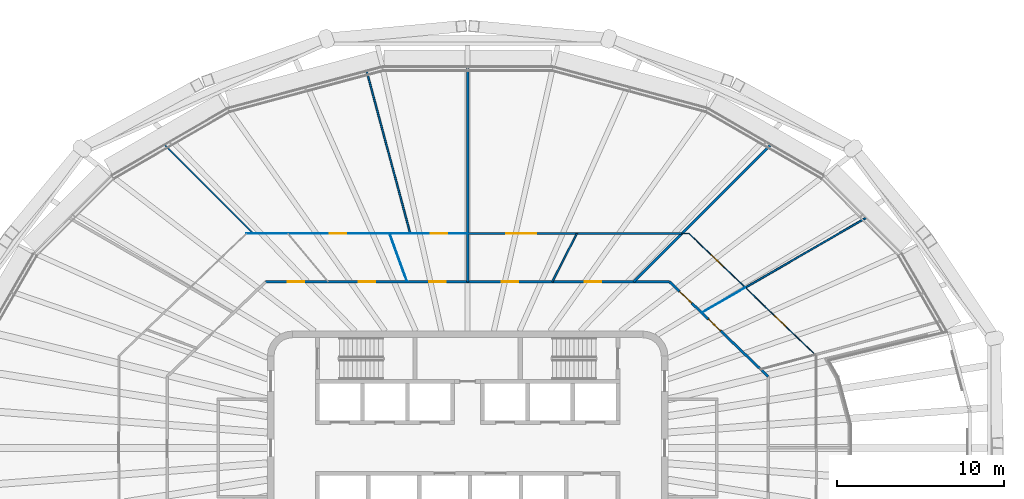
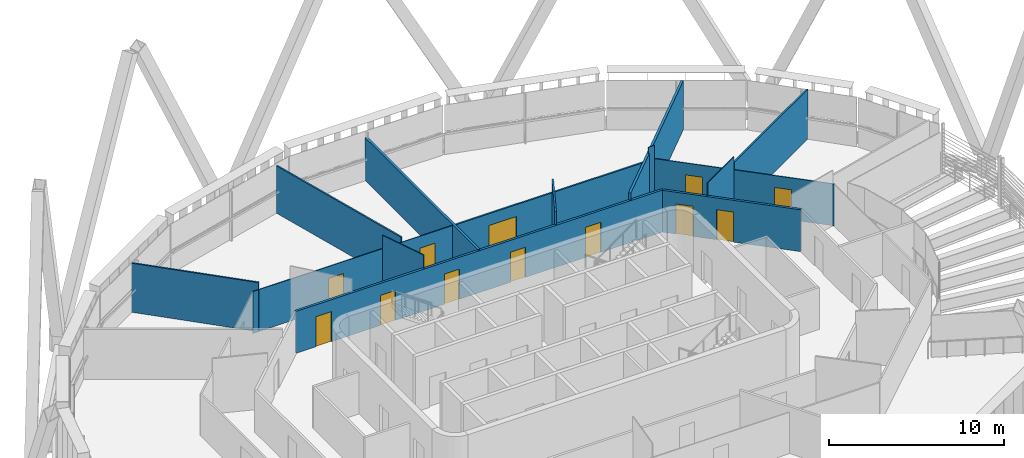
# One storey, part 13 of 20: 14 walls, 12 doors, 12 openings.
"""IFC4 building model written with IfcOpenShell, lengths in metres."""

from ifc_helpers import new_model, si_unit, direction, frame, frame_2d, origin, place, context, subcontext, project, spatial, rectangle, extrude, material, layer, layer_set, type_object, element, fill, save


model = new_model("IFC4")

# Units and contexts
model_context = context("Model", 3, precision=1e-05, world=origin(), true_north=direction((0.0, 1.0)))
body_context = subcontext(model_context, "Body", "Model", "MODEL_VIEW")
ifc_project = project(units=[si_unit("LENGTHUNIT", "METRE"), si_unit("AREAUNIT", "SQUARE_METRE"), si_unit("VOLUMEUNIT", "CUBIC_METRE"), si_unit("PLANEANGLEUNIT", "RADIAN"), si_unit("MASSUNIT", "GRAM", prefix="KILO")], contexts=[model_context])

# Site, building, storey
site_placement = place(None, origin())
site = spatial("IfcSite", under=ifc_project, at=site_placement, CompositionType="ELEMENT")
building_placement = place(site_placement, origin())
building = spatial("IfcBuilding", under=site, at=building_placement, Name="Sahrelin Media Tower", CompositionType="ELEMENT")
storey_placement = place(building_placement, frame((0.0, 0.0, 267.0)))
storey = spatial("IfcBuildingStorey", under=building, at=storey_placement, Name="L58", CompositionType="ELEMENT", Elevation=267.0)

# Wall, openings, doors
ifc_material_1 = material(Name="Fire-rated gypsum board partition")
ifc_layer_1 = layer(ifc_material_1, 0.14990234375)
ifc_layer_set_1 = layer_set([ifc_layer_1], Name="Fire-rated partition 150")
wall_type_1 = type_object("IfcWallType", Name="Fire-rated partition 150", PredefinedType="PARTITIONING", material=ifc_layer_set_1)
wall_1_placement = place(storey_placement, frame((12.094970703125, 9.948974609375, 0.0), z_axis=(0.0, 0.0, 1.0), x_axis=(0.721290181137, -0.692633001376, 0.0)))
wall_1 = element("IfcWall", 1, at=wall_1_placement, inside=storey, type_object=wall_type_1, Name="Wall", PredefinedType="PARTITIONING", context=body_context, shape_type="SweptSolid", body=[
    extrude(rectangle(XDim=8.18701171875, YDim=0.14990234375, at=frame_2d((4.093505859375, 0.0))), origin(), (0.0, 0.0, 1.0), 2.918212890625),
])
opening_1_placement = place(wall_1_placement, frame((3.232177734375, 0.0, 0.0)))
opening_1 = element("IfcOpeningElement", 2, at=opening_1_placement, cuts=wall_1, Name="Opening L58-D35", PredefinedType="OPENING", context=body_context, shape_type="SweptSolid", body=[
    extrude(rectangle(XDim=1.0, YDim=2.10009765625, at=frame_2d((0.5, 1.050048828125))), frame((0.0, 0.074951171875, 0.0), z_axis=(0.0, -1.0, 0.0), x_axis=(1.0, 0.0, 0.0)), (0.0, 0.0, 1.0), 0.14990234375),
])
opening_2_placement = place(wall_1_placement, frame((0.838623046875, 0.0, 0.0)))
opening_2 = element("IfcOpeningElement", 3, at=opening_2_placement, cuts=wall_1, Name="Opening L58-D36", PredefinedType="OPENING", context=body_context, shape_type="SweptSolid", body=[
    extrude(rectangle(XDim=1.0, YDim=2.10009765625, at=frame_2d((0.5, 1.050048828125))), frame((0.0, 0.074951171875, 0.0), z_axis=(0.0, -1.0, 0.0), x_axis=(1.0, 0.0, 0.0)), (0.0, 0.0, 1.0), 0.14990234375),
])
ifc_material_2 = material(Name="Steel fire door leaf", Category="steel")
door_type_1 = type_object("IfcDoorType", Name="Fire door 1000 x 2100 EI 60", OperationType="NOTDEFINED", PredefinedType="DOOR", material=ifc_material_2)
door_1_placement = place(opening_1_placement, origin())
door_1 = element("IfcDoor", 4, at=door_1_placement, inside=storey, type_object=door_type_1, Name="Fire door", OperationType="SINGLE_SWING_LEFT", OverallHeight=2.10009765625, OverallWidth=1.0, PredefinedType="DOOR", context=body_context, shape_type="SweptSolid", body=[
    extrude(rectangle(XDim=1.0, YDim=2.10009765625, at=frame_2d((0.5, 1.050048828125))), frame((0.0, 0.02490234375, 0.0), z_axis=(0.0, -1.0, 0.0), x_axis=(1.0, 0.0, 0.0)), (0.0, 0.0, 1.0), 0.050048828125),
])
fill(opening_1, door_1)
door_2_placement = place(opening_2_placement, origin())
door_2 = element("IfcDoor", 5, at=door_2_placement, inside=storey, type_object=door_type_1, Name="Fire door", OperationType="SINGLE_SWING_LEFT", OverallHeight=2.10009765625, OverallWidth=1.0, PredefinedType="DOOR", context=body_context, shape_type="SweptSolid", body=[
    extrude(rectangle(XDim=1.0, YDim=2.10009765625, at=frame_2d((0.5, 1.050048828125))), frame((0.0, 0.02490234375, 0.0), z_axis=(0.0, -1.0, 0.0), x_axis=(1.0, 0.0, 0.0)), (0.0, 0.0, 1.0), 0.050048828125),
])
fill(opening_2, door_2)

wall_2_placement = place(storey_placement, frame((-12.094970703125, 9.948974609375, 0.0), z_axis=(0.0, 0.0, 1.0), x_axis=(1.0, 0.0, 0.0)))
wall_2 = element("IfcWall", 6, at=wall_2_placement, inside=storey, type_object=wall_type_1, Name="Wall", PredefinedType="PARTITIONING", context=body_context, shape_type="SweptSolid", body=[
    extrude(rectangle(XDim=24.18994140625, YDim=0.14990234375, at=frame_2d((12.094970703125, 0.0))), origin(), (0.0, 0.0, 1.0), 2.927001953125),
])
opening_3_placement = place(wall_2_placement, frame((9.784423828125, 0.0, 0.0)))
opening_3 = element("IfcOpeningElement", 7, at=opening_3_placement, cuts=wall_2, Name="Opening L58-D15", PredefinedType="OPENING", context=body_context, shape_type="SweptSolid", body=[
    extrude(rectangle(XDim=1.0, YDim=2.10009765625, at=frame_2d((0.5, 1.050048828125))), frame((0.0, 0.074951171875, 0.0), z_axis=(0.0, -1.0, 0.0), x_axis=(1.0, 0.0, 0.0)), (0.0, 0.0, 1.0), 0.14990234375),
])
opening_4_placement = place(wall_2_placement, frame((5.56005859375, 0.0, 0.0)))
opening_4 = element("IfcOpeningElement", 8, at=opening_4_placement, cuts=wall_2, Name="Opening L58-D16", PredefinedType="OPENING", context=body_context, shape_type="SweptSolid", body=[
    extrude(rectangle(XDim=1.0, YDim=2.10009765625, at=frame_2d((0.5, 1.050048828125))), frame((0.0, 0.074951171875, 0.0), z_axis=(0.0, -1.0, 0.0), x_axis=(1.0, 0.0, 0.0)), (0.0, 0.0, 1.0), 0.14990234375),
])
opening_5_placement = place(wall_2_placement, frame((1.322021484375, 0.0, 0.0)))
opening_5 = element("IfcOpeningElement", 9, at=opening_5_placement, cuts=wall_2, Name="Opening L58-D17", PredefinedType="OPENING", context=body_context, shape_type="SweptSolid", body=[
    extrude(rectangle(XDim=1.0, YDim=2.10009765625, at=frame_2d((0.5, 1.050048828125))), frame((0.0, 0.074951171875, 0.0), z_axis=(0.0, -1.0, 0.0), x_axis=(1.0, 0.0, 0.0)), (0.0, 0.0, 1.0), 0.14990234375),
])
opening_6_placement = place(wall_2_placement, frame((19.10400390625, 0.0, 0.0)))
opening_6 = element("IfcOpeningElement", 10, at=opening_6_placement, cuts=wall_2, Name="Opening L58-D40", PredefinedType="OPENING", context=body_context, shape_type="SweptSolid", body=[
    extrude(rectangle(XDim=1.0, YDim=2.10009765625, at=frame_2d((0.5, 1.050048828125))), frame((0.0, 0.074951171875, 0.0), z_axis=(0.0, -1.0, 0.0), x_axis=(1.0, 0.0, 0.0)), (0.0, 0.0, 1.0), 0.14990234375),
])
opening_7_placement = place(wall_2_placement, frame((14.12939453125, 0.0, 0.0)))
opening_7 = element("IfcOpeningElement", 11, at=opening_7_placement, cuts=wall_2, Name="Opening L58-D41", PredefinedType="OPENING", context=body_context, shape_type="SweptSolid", body=[
    extrude(rectangle(XDim=1.0, YDim=2.10009765625, at=frame_2d((0.5, 1.050048828125))), frame((0.0, 0.074951171875, 0.0), z_axis=(0.0, -1.0, 0.0), x_axis=(1.0, 0.0, 0.0)), (0.0, 0.0, 1.0), 0.14990234375),
])
door_3_placement = place(opening_3_placement, origin())
door_3 = element("IfcDoor", 12, at=door_3_placement, inside=storey, type_object=door_type_1, Name="Fire door", OperationType="SINGLE_SWING_RIGHT", OverallHeight=2.10009765625, OverallWidth=1.0, PredefinedType="DOOR", context=body_context, shape_type="SweptSolid", body=[
    extrude(rectangle(XDim=1.0, YDim=2.10009765625, at=frame_2d((0.5, 1.050048828125))), frame((0.0, 0.02490234375, 0.0), z_axis=(0.0, -1.0, 0.0), x_axis=(1.0, 0.0, 0.0)), (0.0, 0.0, 1.0), 0.050048828125),
])
fill(opening_3, door_3)
door_4_placement = place(opening_4_placement, origin())
door_4 = element("IfcDoor", 13, at=door_4_placement, inside=storey, type_object=door_type_1, Name="Fire door", OperationType="SINGLE_SWING_LEFT", OverallHeight=2.10009765625, OverallWidth=1.0, PredefinedType="DOOR", context=body_context, shape_type="SweptSolid", body=[
    extrude(rectangle(XDim=1.0, YDim=2.10009765625, at=frame_2d((0.5, 1.050048828125))), frame((0.0, 0.02490234375, 0.0), z_axis=(0.0, -1.0, 0.0), x_axis=(1.0, 0.0, 0.0)), (0.0, 0.0, 1.0), 0.050048828125),
])
fill(opening_4, door_4)
door_5_placement = place(opening_5_placement, origin())
door_5 = element("IfcDoor", 14, at=door_5_placement, inside=storey, type_object=door_type_1, Name="Fire door", OperationType="SINGLE_SWING_LEFT", OverallHeight=2.10009765625, OverallWidth=1.0, PredefinedType="DOOR", context=body_context, shape_type="SweptSolid", body=[
    extrude(rectangle(XDim=1.0, YDim=2.10009765625, at=frame_2d((0.5, 1.050048828125))), frame((0.0, 0.02490234375, 0.0), z_axis=(0.0, -1.0, 0.0), x_axis=(1.0, 0.0, 0.0)), (0.0, 0.0, 1.0), 0.050048828125),
])
fill(opening_5, door_5)
door_6_placement = place(opening_6_placement, origin())
door_6 = element("IfcDoor", 15, at=door_6_placement, inside=storey, type_object=door_type_1, Name="Fire door", OperationType="SINGLE_SWING_LEFT", OverallHeight=2.10009765625, OverallWidth=1.0, PredefinedType="DOOR", context=body_context, shape_type="SweptSolid", body=[
    extrude(rectangle(XDim=1.0, YDim=2.10009765625, at=frame_2d((0.5, 1.050048828125))), frame((0.0, 0.02490234375, 0.0), z_axis=(0.0, -1.0, 0.0), x_axis=(1.0, 0.0, 0.0)), (0.0, 0.0, 1.0), 0.050048828125),
])
fill(opening_6, door_6)
door_7_placement = place(opening_7_placement, origin())
door_7 = element("IfcDoor", 16, at=door_7_placement, inside=storey, type_object=door_type_1, Name="Fire door", OperationType="SINGLE_SWING_LEFT", OverallHeight=2.10009765625, OverallWidth=1.0, PredefinedType="DOOR", context=body_context, shape_type="SweptSolid", body=[
    extrude(rectangle(XDim=1.0, YDim=2.10009765625, at=frame_2d((0.5, 1.050048828125))), frame((0.0, 0.02490234375, 0.0), z_axis=(0.0, -1.0, 0.0), x_axis=(1.0, 0.0, 0.0)), (0.0, 0.0, 1.0), 0.050048828125),
])
fill(opening_7, door_7)

# Walls
wall_3_placement = place(storey_placement, frame((9.948974609375, 9.948974609375, 0.0), z_axis=(0.0, 0.0, 1.0), x_axis=(0.707106781187, 0.707106781187, 0.0)))
element("IfcWall", 17, at=wall_3_placement, inside=storey, type_object=wall_type_1, Name="Wall", PredefinedType="PARTITIONING", context=body_context, shape_type="SweptSolid", body=[
    extrude(rectangle(XDim=11.612060546875, YDim=0.14990234375, at=frame_2d((5.80615234375, 0.0))), origin(), (0.0, 0.0, 1.0), 3.423583984375),
])
wall_4_placement = place(storey_placement, frame((0.0, 9.948974609375, 0.0), z_axis=(0.0, 0.0, 1.0), x_axis=(0.0, 1.0, 0.0)))
element("IfcWall", 18, at=wall_4_placement, inside=storey, type_object=wall_type_1, Name="Wall", PredefinedType="PARTITIONING", context=body_context, shape_type="SweptSolid", body=[
    extrude(rectangle(XDim=12.881103515625, YDim=0.14990234375, at=frame_2d((6.4404296875, 0.0))), origin(), (0.0, 0.0, 1.0), 2.9951171875),
])
ifc_material_3 = material(Name="Clear glass", Category="glass")
ifc_layer_2 = layer(ifc_material_3, 0.050048828125)
ifc_layer_set_2 = layer_set([ifc_layer_2], Name="Glazed partition 50")
wall_type_2 = type_object("IfcWallType", Name="Glazed partition 50", PredefinedType="PARTITIONING", material=ifc_layer_set_2)
wall_5_placement = place(storey_placement, frame((-4.673095703125, 12.839111328125, 0.0), z_axis=(0.0, 0.0, 1.0), x_axis=(0.342042598731, -0.939684447383, 0.0)))
element("IfcWall", 19, at=wall_5_placement, inside=storey, type_object=wall_type_2, Name="Wall", PredefinedType="PARTITIONING", context=body_context, shape_type="SweptSolid", body=[
    extrude(rectangle(XDim=3.07568359375, YDim=0.050048828125, at=frame_2d((1.537841796875, 0.0))), origin(), (0.0, 0.0, 1.0), 3.85009765625),
])

# Wall, openings, doors
wall_6_placement = place(storey_placement, frame((13.258056640625, 12.839111328125, 0.0), z_axis=(0.0, 0.0, 1.0), x_axis=(0.721469843217, -0.692445857327, 0.0)))
wall_6 = element("IfcWall", 20, at=wall_6_placement, inside=storey, type_object=wall_type_2, Name="Wall", PredefinedType="PARTITIONING", context=body_context, shape_type="SweptSolid", body=[
    extrude(rectangle(XDim=10.581787109375, YDim=0.050048828125, at=frame_2d((5.291015625, 0.0))), origin(), (0.0, 0.0, 1.0), 2.927001953125),
])
opening_8_placement = place(wall_6_placement, frame((7.072265625, 0.0, 0.0)))
opening_8 = element("IfcOpeningElement", 21, at=opening_8_placement, cuts=wall_6, Name="Opening L58-D38", PredefinedType="OPENING", context=body_context, shape_type="SweptSolid", body=[
    extrude(rectangle(XDim=1.0, YDim=2.10009765625, at=frame_2d((0.5, 1.050048828125))), frame((0.0, 0.02490234375, 0.0), z_axis=(0.0, -1.0, 0.0), x_axis=(1.0, 0.0, 0.0)), (0.0, 0.0, 1.0), 0.050048828125),
])
opening_9_placement = place(wall_6_placement, frame((1.82958984375, 0.0, 0.0)))
opening_9 = element("IfcOpeningElement", 22, at=opening_9_placement, cuts=wall_6, Name="Opening L58-D39", PredefinedType="OPENING", context=body_context, shape_type="SweptSolid", body=[
    extrude(rectangle(XDim=1.0, YDim=2.10009765625, at=frame_2d((0.5, 1.050048828125))), frame((0.0, 0.02490234375, 0.0), z_axis=(0.0, -1.0, 0.0), x_axis=(1.0, 0.0, 0.0)), (0.0, 0.0, 1.0), 0.050048828125),
])
door_type_2 = type_object("IfcDoorType", Name="Glazed door 1000 x 2100", OperationType="NOTDEFINED", PredefinedType="DOOR", material=ifc_material_3)
door_8_placement = place(opening_8_placement, origin())
door_8 = element("IfcDoor", 23, at=door_8_placement, inside=storey, type_object=door_type_2, Name="Glazed door", OperationType="SINGLE_SWING_RIGHT", OverallHeight=2.10009765625, OverallWidth=1.0, PredefinedType="DOOR", context=body_context, shape_type="SweptSolid", body=[
    extrude(rectangle(XDim=1.0, YDim=2.10009765625, at=frame_2d((0.5, 1.050048828125))), frame((0.0, 0.02490234375, 0.0), z_axis=(0.0, -1.0, 0.0), x_axis=(1.0, 0.0, 0.0)), (0.0, 0.0, 1.0), 0.049560546875),
])
fill(opening_8, door_8)
door_9_placement = place(opening_9_placement, origin())
door_9 = element("IfcDoor", 24, at=door_9_placement, inside=storey, type_object=door_type_2, Name="Glazed door", OperationType="SINGLE_SWING_LEFT", OverallHeight=2.10009765625, OverallWidth=1.0, PredefinedType="DOOR", context=body_context, shape_type="SweptSolid", body=[
    extrude(rectangle(XDim=1.0, YDim=2.10009765625, at=frame_2d((0.5, 1.050048828125))), frame((0.0, 0.02490234375, 0.0), z_axis=(0.0, -1.0, 0.0), x_axis=(1.0, 0.0, 0.0)), (0.0, 0.0, 1.0), 0.049560546875),
])
fill(opening_9, door_9)

wall_7_placement = place(storey_placement, frame((-13.258056640625, 12.839111328125, 0.0), z_axis=(0.0, 0.0, 1.0), x_axis=(1.0, 0.0, 0.0)))
wall_7 = element("IfcWall", 25, at=wall_7_placement, inside=storey, type_object=wall_type_2, Name="Wall", PredefinedType="PARTITIONING", context=body_context, shape_type="SweptSolid", body=[
    extrude(rectangle(XDim=13.258056640625, YDim=0.050048828125, at=frame_2d((6.62890625, 0.0))), origin(), (0.0, 0.0, 1.0), 2.927001953125),
])
opening_10_placement = place(wall_7_placement, frame((11.0380859375, 0.0, 0.0)))
opening_10 = element("IfcOpeningElement", 26, at=opening_10_placement, cuts=wall_7, Name="Opening L58-D18", PredefinedType="OPENING", context=body_context, shape_type="SweptSolid", body=[
    extrude(rectangle(XDim=1.0, YDim=2.10009765625, at=frame_2d((0.5, 1.050048828125))), frame((0.0, 0.02490234375, 0.0), z_axis=(0.0, -1.0, 0.0), x_axis=(1.0, 0.0, 0.0)), (0.0, 0.0, 1.0), 0.050048828125),
])
opening_11_placement = place(wall_7_placement, frame((4.985107421875, 0.0, 0.0)))
opening_11 = element("IfcOpeningElement", 27, at=opening_11_placement, cuts=wall_7, Name="Opening L58-D19", PredefinedType="OPENING", context=body_context, shape_type="SweptSolid", body=[
    extrude(rectangle(XDim=1.0, YDim=2.10009765625, at=frame_2d((0.5, 1.050048828125))), frame((0.0, 0.02490234375, 0.0), z_axis=(0.0, -1.0, 0.0), x_axis=(1.0, 0.0, 0.0)), (0.0, 0.0, 1.0), 0.050048828125),
])
door_10_placement = place(opening_10_placement, origin())
door_10 = element("IfcDoor", 28, at=door_10_placement, inside=storey, type_object=door_type_2, Name="Glazed door", OperationType="SINGLE_SWING_LEFT", OverallHeight=2.10009765625, OverallWidth=1.0, PredefinedType="DOOR", context=body_context, shape_type="SweptSolid", body=[
    extrude(rectangle(XDim=1.0, YDim=2.10009765625, at=frame_2d((0.5, 1.050048828125))), frame((0.0, 0.02490234375, 0.0), z_axis=(0.0, -1.0, 0.0), x_axis=(1.0, 0.0, 0.0)), (0.0, 0.0, 1.0), 0.049560546875),
])
fill(opening_10, door_10)
door_11_placement = place(opening_11_placement, origin())
door_11 = element("IfcDoor", 29, at=door_11_placement, inside=storey, type_object=door_type_2, Name="Glazed door", OperationType="SINGLE_SWING_RIGHT", OverallHeight=2.10009765625, OverallWidth=1.0, PredefinedType="DOOR", context=body_context, shape_type="SweptSolid", body=[
    extrude(rectangle(XDim=1.0, YDim=2.10009765625, at=frame_2d((0.5, 1.050048828125))), frame((0.0, 0.02490234375, 0.0), z_axis=(0.0, -1.0, 0.0), x_axis=(1.0, 0.0, 0.0)), (0.0, 0.0, 1.0), 0.049560546875),
])
fill(opening_11, door_11)

# Walls
wall_8_placement = place(storey_placement, frame((12.839111328125, 12.839111328125, 0.0), z_axis=(0.0, 0.0, 1.0), x_axis=(1.0, 0.0, 0.0)))
element("IfcWall", 30, at=wall_8_placement, inside=storey, type_object=wall_type_2, Name="Wall", PredefinedType="PARTITIONING", context=body_context, shape_type="SweptSolid", body=[
    extrude(rectangle(XDim=0.4189453125, YDim=0.050048828125, at=frame_2d((0.20947265625, 0.0))), origin(), (0.0, 0.0, 1.0), 3.85009765625),
])
wall_9_placement = place(storey_placement, frame((14.02392578125, 8.096923828125, 0.0), z_axis=(0.0, 0.0, 1.0), x_axis=(0.86600176378, 0.500040943453, 0.0)))
element("IfcWall", 31, at=wall_9_placement, inside=storey, type_object=wall_type_2, Name="Wall", PredefinedType="PARTITIONING", context=body_context, shape_type="SweptSolid", body=[
    extrude(rectangle(XDim=3.008056640625, YDim=0.050048828125, at=frame_2d((1.50390625, 0.0))), origin(), (0.0, 0.0, 1.0), 3.85009765625),
])
ifc_material_4 = material(Name="Gypsum board partition")
ifc_layer_3 = layer(ifc_material_4, 0.10009765625)
ifc_layer_set_3 = layer_set([ifc_layer_3], Name="Partition 100")
wall_type_3 = type_object("IfcWallType", Name="Partition 100", PredefinedType="PARTITIONING", material=ifc_layer_set_3)
wall_10_placement = place(storey_placement, frame((-6.050048828125, 22.580078125, 0.0), z_axis=(0.0, 0.0, 1.0), x_axis=(0.258821194786, -0.965925250281, 0.0)))
element("IfcWall", 32, at=wall_10_placement, inside=storey, type_object=wall_type_3, Name="Wall", PredefinedType="PARTITIONING", context=body_context, shape_type="SweptSolid", body=[
    extrude(rectangle(XDim=10.084716796875, YDim=0.10009765625, at=frame_2d((5.04248046875, 0.0))), origin(), (0.0, 0.0, 1.0), 3.3017578125),
])
wall_11_placement = place(storey_placement, frame((-18.159912109375, 18.159912109375, 0.0), z_axis=(0.0, 0.0, 1.0), x_axis=(0.707106781187, -0.707106781187, 0.0)))
element("IfcWall", 33, at=wall_11_placement, inside=storey, type_object=wall_type_3, Name="Wall", PredefinedType="PARTITIONING", context=body_context, shape_type="SweptSolid", body=[
    extrude(rectangle(XDim=7.524658203125, YDim=0.10009765625, at=frame_2d((3.76220703125, 0.0))), origin(), (0.0, 0.0, 1.0), 3.423583984375),
])

# Wall, opening, door
wall_12_placement = place(storey_placement, frame((0.0, 12.839111328125, 0.0), z_axis=(0.0, 0.0, 1.0), x_axis=(1.0, 0.0, 0.0)))
wall_12 = element("IfcWall", 34, at=wall_12_placement, inside=storey, type_object=wall_type_3, Name="Wall", PredefinedType="PARTITIONING", context=body_context, shape_type="SweptSolid", body=[
    extrude(rectangle(XDim=12.839111328125, YDim=0.10009765625, at=frame_2d((6.41943359375, 0.0))), origin(), (0.0, 0.0, 1.0), 2.927001953125),
])
opening_12_placement = place(wall_12_placement, frame((2.3203125, 0.0, 0.0)))
opening_12 = element("IfcOpeningElement", 35, at=opening_12_placement, cuts=wall_12, Name="Opening L58-D42", PredefinedType="OPENING", context=body_context, shape_type="SweptSolid", body=[
    extrude(rectangle(XDim=1.800048828125, YDim=2.10009765625, at=frame_2d((0.89990234375, 1.050048828125))), frame((0.0, 0.050048828125, 0.0), z_axis=(0.0, -1.0, 0.0), x_axis=(1.0, 0.0, 0.0)), (0.0, 0.0, 1.0), 0.10009765625),
])
ifc_material_5 = material(Name="Timber door leaf", Category="wood")
door_type_3 = type_object("IfcDoorType", Name="Double door 1800 x 2100", OperationType="DOUBLE_DOOR_SINGLE_SWING", PredefinedType="DOOR", material=ifc_material_5)
door_12_placement = place(opening_12_placement, origin())
door_12 = element("IfcDoor", 36, at=door_12_placement, inside=storey, type_object=door_type_3, Name="Double door", OperationType="DOUBLE_DOOR_SINGLE_SWING", OverallHeight=2.10009765625, OverallWidth=1.800048828125, PredefinedType="DOOR", context=body_context, shape_type="SweptSolid", body=[
    extrude(rectangle(XDim=1.800048828125, YDim=2.10009765625, at=frame_2d((0.89990234375, 1.050048828125))), frame((0.0, 0.02490234375, 0.0), z_axis=(0.0, -1.0, 0.0), x_axis=(1.0, 0.0, 0.0)), (0.0, 0.0, 1.0), 0.050048828125),
])
fill(opening_12, door_12)

# Walls
wall_13_placement = place(storey_placement, frame((16.62890625, 9.60107421875, 0.0), z_axis=(0.0, 0.0, 1.0), x_axis=(0.866035608203, 0.499982325013, 0.0)))
element("IfcWall", 37, at=wall_13_placement, inside=storey, type_object=wall_type_3, Name="Wall", PredefinedType="PARTITIONING", context=body_context, shape_type="SweptSolid", body=[
    extrude(rectangle(XDim=8.376220703125, YDim=0.10009765625, at=frame_2d((4.18798828125, 0.0))), origin(), (0.0, 0.0, 1.0), 3.47509765625),
])
wall_14_placement = place(storey_placement, frame((5.069091796875, 9.948974609375, 0.0), z_axis=(0.0, 0.0, 1.0), x_axis=(0.454064453845, 0.890968838823, 0.0)))
element("IfcWall", 38, at=wall_14_placement, inside=storey, type_object=wall_type_3, Name="Wall", PredefinedType="PARTITIONING", context=body_context, shape_type="SweptSolid", body=[
    extrude(rectangle(XDim=3.243896484375, YDim=0.10009765625, at=frame_2d((1.6220703125, 0.0))), origin(), (0.0, 0.0, 1.0), 3.85009765625),
])

save(model, "model.ifc")
